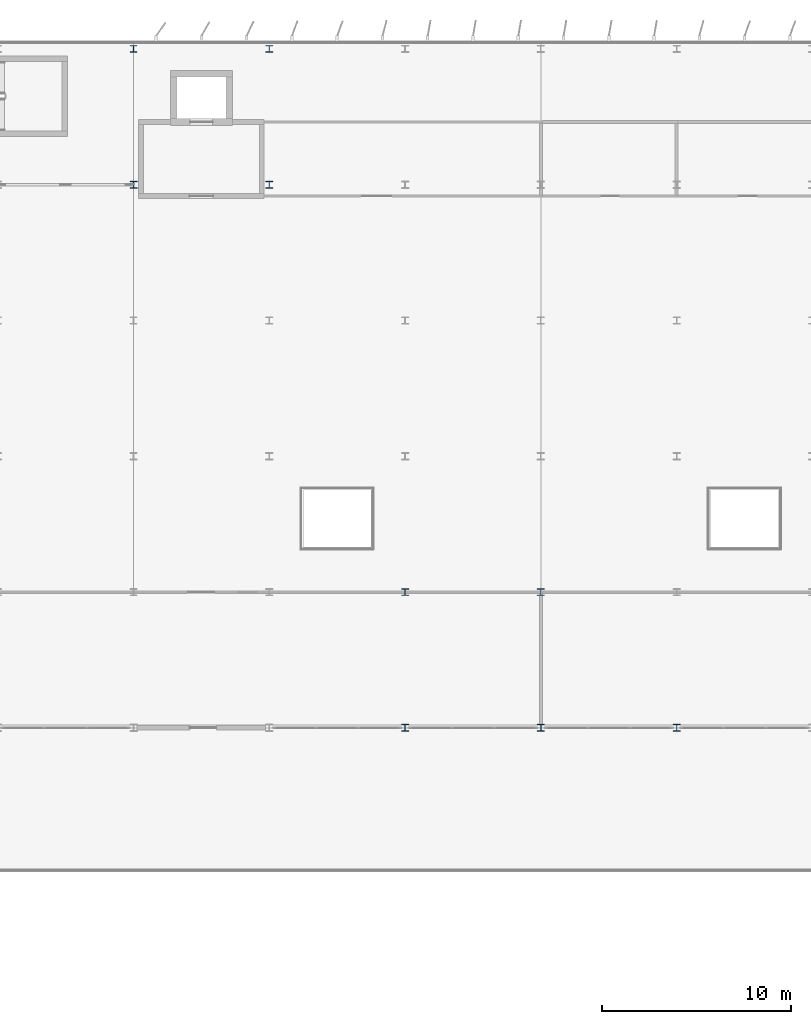
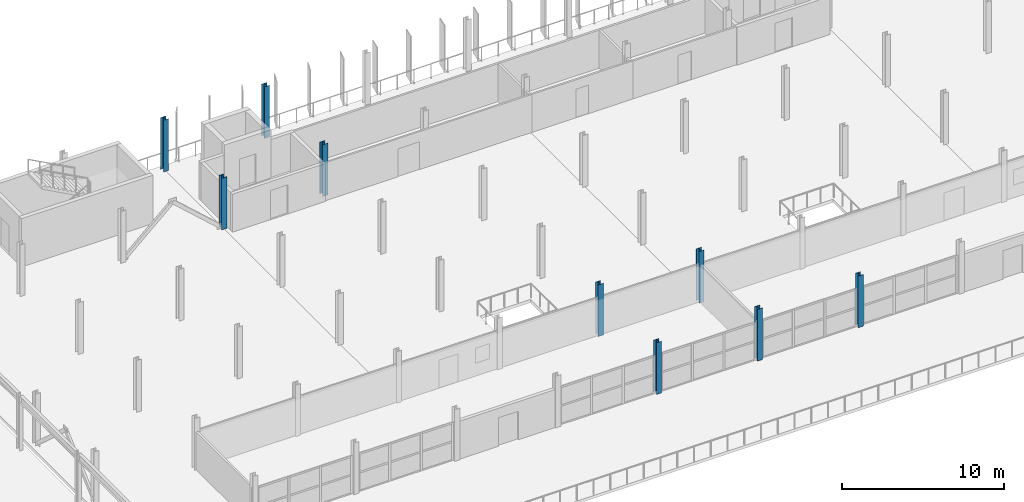
# One storey, part 6 of 40: 9 columns.
"""IFC4 building model written with IfcOpenShell, lengths in metres."""

from ifc_helpers import new_model, si_unit, direction, frame, origin, origin_2d, place, context, subcontext, project, spatial, i_section, extrude, material, material_profile, profile_set, type_object, element, save


model = new_model("IFC4")

# Units and contexts
model_context = context("Model", 3, precision=1e-05, world=origin(), true_north=direction((0.0, 1.0)))
body_context = subcontext(model_context, "Body", "Model", "MODEL_VIEW")
ifc_project = project(units=[si_unit("LENGTHUNIT", "METRE"), si_unit("AREAUNIT", "SQUARE_METRE"), si_unit("VOLUMEUNIT", "CUBIC_METRE"), si_unit("PLANEANGLEUNIT", "RADIAN"), si_unit("MASSUNIT", "GRAM", prefix="KILO")], contexts=[model_context])

# Site, building, storey
site_placement = place(None, origin())
site = spatial("IfcSite", under=ifc_project, at=site_placement, CompositionType="ELEMENT")
building_placement = place(site_placement, origin())
building = spatial("IfcBuilding", under=site, at=building_placement, Name="Vaelcorin Mobility Hub", CompositionType="ELEMENT")
storey_placement = place(building_placement, frame((0.0, 0.0, 17.10009765625)))
storey = spatial("IfcBuildingStorey", under=building, at=storey_placement, Name="L04", CompositionType="ELEMENT", Elevation=17.10009765625)

# Columns
ifc_material = material(Name="Steel ASTM A992 Grade 50", Category="steel")
ifc_material_profile_1 = material_profile(ifc_material, i_section(OverallWidth=0.37109375, OverallDepth=0.363037109375, WebThickness=0.01318359375, FlangeThickness=0.021728515625, FilletRadius=0.014892578125, at=origin_2d()), Name="W14X109")
ifc_profile_set_1 = profile_set([ifc_material_profile_1], Name="Steel ASTM A992 Grade 50")
column_type_1 = type_object("IfcColumnType", Name="COL-W14X109", PredefinedType="COLUMN", material=ifc_profile_set_1)
for number, where, z_axis, x_axis, name in (
    (1, (57.60009765625, 112.800048828125, 0.0), (0.0, 0.0, 1.0), (1.0, 0.0, 0.0), "Column V4-X04Y06 L04"),
    (2, (64.800048828125, 112.800048828125, 0.0), (0.0, 0.0, 1.0), (1.0, 0.0, 0.0), "Column V4-X05Y06 L04"),
    (3, (72.0, 84.0, 0.0), (0.0, 0.0, 1.0), (1.0, 0.0, 0.0), "Column V4-X06Y02 L04"),
    (4, (79.199951171875, 84.0, 0.0), (0.0, 0.0, 1.0), (1.0, 0.0, 0.0), "Column V4-X07Y02 L04"),
    (5, (86.39990234375, 84.0, 0.0), (0.0, 0.0, 1.0), (1.0, 0.0, 0.0), "Column V4-X08Y02 L04"),
):
    element("IfcColumn", number, at=place(storey_placement, frame(where, z_axis=z_axis, x_axis=x_axis)), inside=storey, type_object=column_type_1, Name=name, PredefinedType="COLUMN", context=body_context, shape_type="SweptSolid", body=[
        extrude(i_section(OverallWidth=0.37109375, OverallDepth=0.363037109375, WebThickness=0.01318359375, FlangeThickness=0.021728515625, FilletRadius=0.014892578125, at=origin_2d()), origin(), (0.0, 0.0, 1.0), 3.89990234375),
    ])
ifc_material_profile_2 = material_profile(ifc_material, i_section(OverallWidth=0.367919921875, OverallDepth=0.35595703125, WebThickness=0.01123046875, FlangeThickness=0.01806640625, FilletRadius=0.014892578125, at=origin_2d()), Name="W14X90")
ifc_profile_set_2 = profile_set([ifc_material_profile_2], Name="Steel ASTM A992 Grade 50")
column_type_2 = type_object("IfcColumnType", Name="COL-W14X90", PredefinedType="COLUMN", material=ifc_profile_set_2)
for number, where, z_axis, x_axis, name in (
    (6, (57.60009765625, 120.0, 0.0), (0.0, 0.0, 1.0), (1.0, 0.0, 0.0), "Column V4-X04Y07 L04"),
    (7, (64.800048828125, 120.0, 0.0), (0.0, 0.0, 1.0), (1.0, 0.0, 0.0), "Column V4-X05Y07 L04"),
    (8, (72.0, 91.199951171875, 0.0), (0.0, 0.0, 1.0), (1.0, 0.0, 0.0), "Column V4-X06Y03 L04"),
    (9, (79.199951171875, 91.199951171875, 0.0), (0.0, 0.0, 1.0), (1.0, 0.0, 0.0), "Column V4-X07Y03 L04"),
):
    element("IfcColumn", number, at=place(storey_placement, frame(where, z_axis=z_axis, x_axis=x_axis)), inside=storey, type_object=column_type_2, Name=name, PredefinedType="COLUMN", context=body_context, shape_type="SweptSolid", body=[
        extrude(i_section(OverallWidth=0.367919921875, OverallDepth=0.35595703125, WebThickness=0.01123046875, FlangeThickness=0.01806640625, FilletRadius=0.014892578125, at=origin_2d()), origin(), (0.0, 0.0, 1.0), 3.89990234375),
    ])

save(model, "model.ifc")
